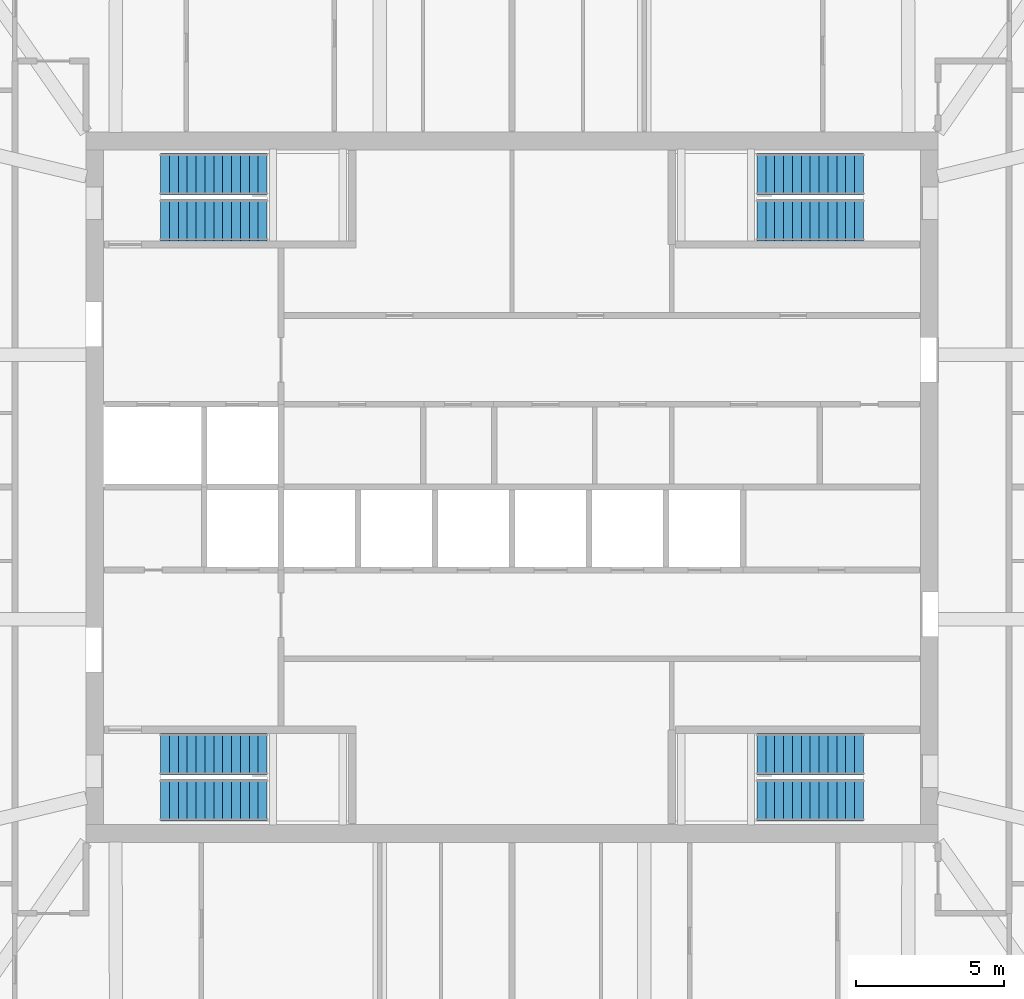
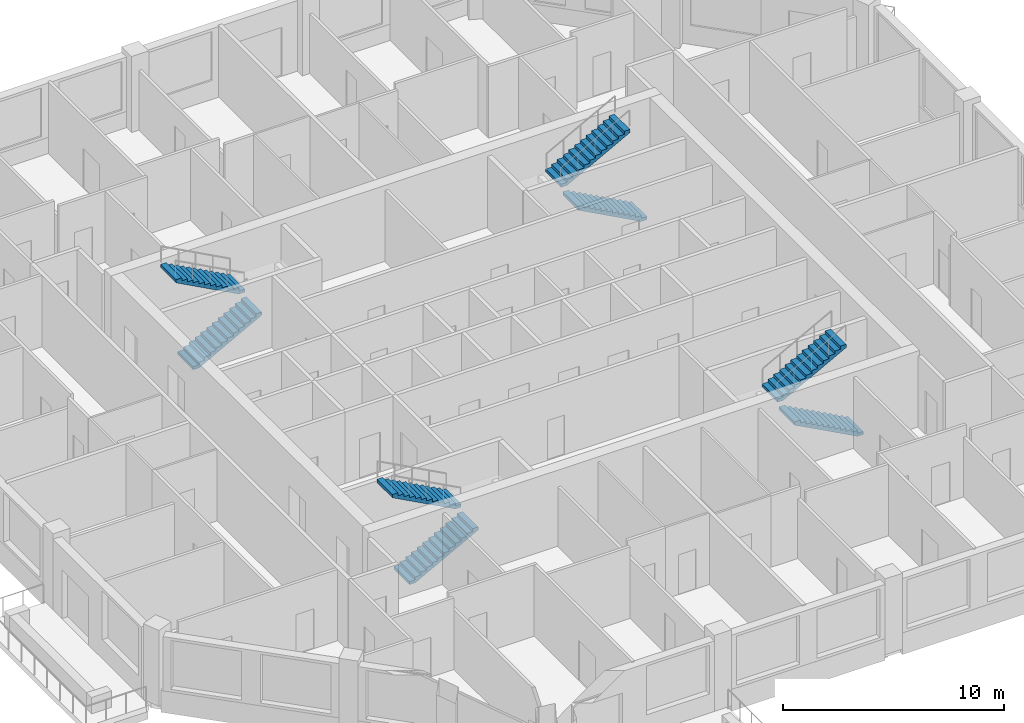
# One storey, part 10 of 11: 8 stair flights, 4 elements without a shape of their own.
"""IFC4 building model written with IfcOpenShell, lengths in metres."""

from ifc_helpers import new_model, si_unit, direction, frame, origin, place, context, subcontext, project, spatial, polyline, outline, extrude, material, type_object, element, aggregate, save


model = new_model("IFC4")

# Units and contexts
model_context = context("Model", 3, precision=1e-05, world=origin(), true_north=direction((0.0, 1.0)))
body_context = subcontext(model_context, "Body", "Model", "MODEL_VIEW")
ifc_project = project(units=[si_unit("LENGTHUNIT", "METRE"), si_unit("AREAUNIT", "SQUARE_METRE"), si_unit("VOLUMEUNIT", "CUBIC_METRE"), si_unit("PLANEANGLEUNIT", "RADIAN"), si_unit("MASSUNIT", "GRAM", prefix="KILO")], contexts=[model_context])

# Site, building, storey
site_placement = place(None, origin())
site = spatial("IfcSite", under=ifc_project, at=site_placement, CompositionType="ELEMENT")
building_placement = place(site_placement, origin())
building = spatial("IfcBuilding", under=site, at=building_placement, Name="Msitu Wima Residences", CompositionType="ELEMENT")
storey_placement = place(building_placement, frame((0.0, 0.0, 234.89990234375)))
storey = spatial("IfcBuildingStorey", under=building, at=storey_placement, Name="L54", CompositionType="ELEMENT", Elevation=234.89990234375)

# Stair, stair flights
ifc_material = material(Name="Concrete C40/50", Category="concrete")
stair_type = type_object("IfcStairType", Name="Exit stair ES1615-140", PredefinedType="HALF_TURN_STAIR", material=ifc_material)
stair_1_placement = place(storey_placement, origin())
stair_1 = element("IfcStair", 1, at=stair_1_placement, inside=storey, type_object=stair_type, Name="Exit stair 1", PredefinedType="HALF_TURN_STAIR")
stair_flight_type = type_object("IfcStairFlightType", Name="Exit stair flight ES1615-140", PredefinedType="STRAIGHT", material=ifc_material)
stair_flight_1_placement = place(storey_placement, frame((-11.875, 9.02490234375, 0.0), z_axis=(0.0, 0.0, 1.0), x_axis=(1.0, 0.0, 0.0)))
stair_flight_1 = element("IfcStairFlight", 2, at=stair_flight_1_placement, type_object=stair_flight_type, Name="S1 flight 1", NumberOfRisers=13, NumberOfTreads=12, PredefinedType="STRAIGHT", RiserHeight=0.161538462, TreadLength=0.3, context=body_context, shape_type="SweptSolid", body=[
    extrude(outline(polyline([(0.0, 0.0), (0.0, 0.16162109375), (0.300048828125, 0.16162109375), (0.300048828125, 0.322998046875), (0.60009765625, 0.322998046875), (0.60009765625, 0.484619140625), (0.89990234375, 0.484619140625), (0.89990234375, 0.646240234375), (1.199951171875, 0.646240234375), (1.199951171875, 0.8076171875), (1.5, 0.8076171875), (1.5, 0.96923828125), (1.800048828125, 0.96923828125), (1.800048828125, 1.130859375), (2.10009765625, 1.130859375), (2.10009765625, 1.292236328125), (2.39990234375, 1.292236328125), (2.39990234375, 1.453857421875), (2.699951171875, 1.453857421875), (2.699951171875, 1.615478515625), (3.0, 1.615478515625), (3.0, 1.77685546875), (3.300048828125, 1.77685546875), (3.300048828125, 1.9384765625), (3.60009765625, 1.9384765625), (3.60009765625, 2.10009765625), (3.60009765625, 1.768310546875), (0.316162109375, 0.0), (0.0, 0.0)])), frame((0.0, 0.699951171875, 0.0), z_axis=(0.0, -1.0, 0.0), x_axis=(1.0, 0.0, 0.0)), (0.0, 0.0, 1.0), 1.39990234375),
])
stair_flight_2_placement = place(storey_placement, frame((-8.27490234375, 10.574951171875, 2.10009765625), z_axis=(0.0, 0.0, 1.0), x_axis=(-1.0, 0.0, 0.0)))
stair_flight_2 = element("IfcStairFlight", 3, at=stair_flight_2_placement, type_object=stair_flight_type, Name="S1 flight 2", NumberOfRisers=13, NumberOfTreads=12, PredefinedType="STRAIGHT", RiserHeight=0.161538462, TreadLength=0.3, context=body_context, shape_type="SweptSolid", body=[
    extrude(outline(polyline([(0.0, 0.0), (0.0, 0.16162109375), (0.300048828125, 0.16162109375), (0.300048828125, 0.322998046875), (0.60009765625, 0.322998046875), (0.60009765625, 0.484619140625), (0.89990234375, 0.484619140625), (0.89990234375, 0.646240234375), (1.199951171875, 0.646240234375), (1.199951171875, 0.8076171875), (1.5, 0.8076171875), (1.5, 0.96923828125), (1.800048828125, 0.96923828125), (1.800048828125, 1.130859375), (2.10009765625, 1.130859375), (2.10009765625, 1.292236328125), (2.39990234375, 1.292236328125), (2.39990234375, 1.453857421875), (2.699951171875, 1.453857421875), (2.699951171875, 1.615478515625), (3.0, 1.615478515625), (3.0, 1.77685546875), (3.300048828125, 1.77685546875), (3.300048828125, 1.9384765625), (3.60009765625, 1.9384765625), (3.60009765625, 2.10009765625), (3.60009765625, 1.768310546875), (0.316162109375, 0.0), (0.0, 0.0)])), frame((0.0, 0.699951171875, 0.0), z_axis=(0.0, -1.0, 0.0), x_axis=(1.0, 0.0, 0.0)), (0.0, 0.0, 1.0), 1.39990234375),
])
aggregate(stair_1, [stair_flight_1, stair_flight_2])

stair_2_placement = place(storey_placement, origin())
stair_2 = element("IfcStair", 4, at=stair_2_placement, inside=storey, type_object=stair_type, Name="Exit stair 2", PredefinedType="HALF_TURN_STAIR")
stair_flight_3_placement = place(storey_placement, frame((-11.875, -10.574951171875, 0.0), z_axis=(0.0, 0.0, 1.0), x_axis=(1.0, 0.0, 0.0)))
stair_flight_3 = element("IfcStairFlight", 5, at=stair_flight_3_placement, type_object=stair_flight_type, Name="S2 flight 1", NumberOfRisers=13, NumberOfTreads=12, PredefinedType="STRAIGHT", RiserHeight=0.161538462, TreadLength=0.3, context=body_context, shape_type="SweptSolid", body=[
    extrude(outline(polyline([(0.0, 0.0), (0.0, 0.16162109375), (0.300048828125, 0.16162109375), (0.300048828125, 0.322998046875), (0.60009765625, 0.322998046875), (0.60009765625, 0.484619140625), (0.89990234375, 0.484619140625), (0.89990234375, 0.646240234375), (1.199951171875, 0.646240234375), (1.199951171875, 0.8076171875), (1.5, 0.8076171875), (1.5, 0.96923828125), (1.800048828125, 0.96923828125), (1.800048828125, 1.130859375), (2.10009765625, 1.130859375), (2.10009765625, 1.292236328125), (2.39990234375, 1.292236328125), (2.39990234375, 1.453857421875), (2.699951171875, 1.453857421875), (2.699951171875, 1.615478515625), (3.0, 1.615478515625), (3.0, 1.77685546875), (3.300048828125, 1.77685546875), (3.300048828125, 1.9384765625), (3.60009765625, 1.9384765625), (3.60009765625, 2.10009765625), (3.60009765625, 1.768310546875), (0.316162109375, 0.0), (0.0, 0.0)])), frame((0.0, 0.699951171875, 0.0), z_axis=(0.0, -1.0, 0.0), x_axis=(1.0, 0.0, 0.0)), (0.0, 0.0, 1.0), 1.39990234375),
])
stair_flight_4_placement = place(storey_placement, frame((-8.27490234375, -9.02490234375, 2.10009765625), z_axis=(0.0, 0.0, 1.0), x_axis=(-1.0, 0.0, 0.0)))
stair_flight_4 = element("IfcStairFlight", 6, at=stair_flight_4_placement, type_object=stair_flight_type, Name="S2 flight 2", NumberOfRisers=13, NumberOfTreads=12, PredefinedType="STRAIGHT", RiserHeight=0.161538462, TreadLength=0.3, context=body_context, shape_type="SweptSolid", body=[
    extrude(outline(polyline([(0.0, 0.0), (0.0, 0.16162109375), (0.300048828125, 0.16162109375), (0.300048828125, 0.322998046875), (0.60009765625, 0.322998046875), (0.60009765625, 0.484619140625), (0.89990234375, 0.484619140625), (0.89990234375, 0.646240234375), (1.199951171875, 0.646240234375), (1.199951171875, 0.8076171875), (1.5, 0.8076171875), (1.5, 0.96923828125), (1.800048828125, 0.96923828125), (1.800048828125, 1.130859375), (2.10009765625, 1.130859375), (2.10009765625, 1.292236328125), (2.39990234375, 1.292236328125), (2.39990234375, 1.453857421875), (2.699951171875, 1.453857421875), (2.699951171875, 1.615478515625), (3.0, 1.615478515625), (3.0, 1.77685546875), (3.300048828125, 1.77685546875), (3.300048828125, 1.9384765625), (3.60009765625, 1.9384765625), (3.60009765625, 2.10009765625), (3.60009765625, 1.768310546875), (0.316162109375, 0.0), (0.0, 0.0)])), frame((0.0, 0.699951171875, 0.0), z_axis=(0.0, -1.0, 0.0), x_axis=(1.0, 0.0, 0.0)), (0.0, 0.0, 1.0), 1.39990234375),
])
aggregate(stair_2, [stair_flight_3, stair_flight_4])

stair_3_placement = place(storey_placement, origin())
stair_3 = element("IfcStair", 7, at=stair_3_placement, inside=storey, type_object=stair_type, Name="Exit stair 3", PredefinedType="HALF_TURN_STAIR")
stair_flight_5_placement = place(storey_placement, frame((11.875, 9.02490234375, 0.0), z_axis=(0.0, 0.0, 1.0), x_axis=(-1.0, 0.0, 0.0)))
stair_flight_5 = element("IfcStairFlight", 8, at=stair_flight_5_placement, type_object=stair_flight_type, Name="S3 flight 1", NumberOfRisers=13, NumberOfTreads=12, PredefinedType="STRAIGHT", RiserHeight=0.161538462, TreadLength=0.3, context=body_context, shape_type="SweptSolid", body=[
    extrude(outline(polyline([(0.0, 0.0), (0.0, 0.16162109375), (0.300048828125, 0.16162109375), (0.300048828125, 0.322998046875), (0.60009765625, 0.322998046875), (0.60009765625, 0.484619140625), (0.89990234375, 0.484619140625), (0.89990234375, 0.646240234375), (1.199951171875, 0.646240234375), (1.199951171875, 0.8076171875), (1.5, 0.8076171875), (1.5, 0.96923828125), (1.800048828125, 0.96923828125), (1.800048828125, 1.130859375), (2.10009765625, 1.130859375), (2.10009765625, 1.292236328125), (2.39990234375, 1.292236328125), (2.39990234375, 1.453857421875), (2.699951171875, 1.453857421875), (2.699951171875, 1.615478515625), (3.0, 1.615478515625), (3.0, 1.77685546875), (3.300048828125, 1.77685546875), (3.300048828125, 1.9384765625), (3.60009765625, 1.9384765625), (3.60009765625, 2.10009765625), (3.60009765625, 1.768310546875), (0.316162109375, 0.0), (0.0, 0.0)])), frame((0.0, 0.699951171875, 0.0), z_axis=(0.0, -1.0, 0.0), x_axis=(1.0, 0.0, 0.0)), (0.0, 0.0, 1.0), 1.39990234375),
])
stair_flight_6_placement = place(storey_placement, frame((8.27490234375, 10.574951171875, 2.10009765625), z_axis=(0.0, 0.0, 1.0), x_axis=(1.0, 0.0, 0.0)))
stair_flight_6 = element("IfcStairFlight", 9, at=stair_flight_6_placement, type_object=stair_flight_type, Name="S3 flight 2", NumberOfRisers=13, NumberOfTreads=12, PredefinedType="STRAIGHT", RiserHeight=0.161538462, TreadLength=0.3, context=body_context, shape_type="SweptSolid", body=[
    extrude(outline(polyline([(0.0, 0.0), (0.0, 0.16162109375), (0.300048828125, 0.16162109375), (0.300048828125, 0.322998046875), (0.60009765625, 0.322998046875), (0.60009765625, 0.484619140625), (0.89990234375, 0.484619140625), (0.89990234375, 0.646240234375), (1.199951171875, 0.646240234375), (1.199951171875, 0.8076171875), (1.5, 0.8076171875), (1.5, 0.96923828125), (1.800048828125, 0.96923828125), (1.800048828125, 1.130859375), (2.10009765625, 1.130859375), (2.10009765625, 1.292236328125), (2.39990234375, 1.292236328125), (2.39990234375, 1.453857421875), (2.699951171875, 1.453857421875), (2.699951171875, 1.615478515625), (3.0, 1.615478515625), (3.0, 1.77685546875), (3.300048828125, 1.77685546875), (3.300048828125, 1.9384765625), (3.60009765625, 1.9384765625), (3.60009765625, 2.10009765625), (3.60009765625, 1.768310546875), (0.316162109375, 0.0), (0.0, 0.0)])), frame((0.0, 0.699951171875, 0.0), z_axis=(0.0, -1.0, 0.0), x_axis=(1.0, 0.0, 0.0)), (0.0, 0.0, 1.0), 1.39990234375),
])
aggregate(stair_3, [stair_flight_5, stair_flight_6])

stair_4_placement = place(storey_placement, origin())
stair_4 = element("IfcStair", 10, at=stair_4_placement, inside=storey, type_object=stair_type, Name="Exit stair 4", PredefinedType="HALF_TURN_STAIR")
stair_flight_7_placement = place(storey_placement, frame((11.875, -10.574951171875, 0.0), z_axis=(0.0, 0.0, 1.0), x_axis=(-1.0, 0.0, 0.0)))
stair_flight_7 = element("IfcStairFlight", 11, at=stair_flight_7_placement, type_object=stair_flight_type, Name="S4 flight 1", NumberOfRisers=13, NumberOfTreads=12, PredefinedType="STRAIGHT", RiserHeight=0.161538462, TreadLength=0.3, context=body_context, shape_type="SweptSolid", body=[
    extrude(outline(polyline([(0.0, 0.0), (0.0, 0.16162109375), (0.300048828125, 0.16162109375), (0.300048828125, 0.322998046875), (0.60009765625, 0.322998046875), (0.60009765625, 0.484619140625), (0.89990234375, 0.484619140625), (0.89990234375, 0.646240234375), (1.199951171875, 0.646240234375), (1.199951171875, 0.8076171875), (1.5, 0.8076171875), (1.5, 0.96923828125), (1.800048828125, 0.96923828125), (1.800048828125, 1.130859375), (2.10009765625, 1.130859375), (2.10009765625, 1.292236328125), (2.39990234375, 1.292236328125), (2.39990234375, 1.453857421875), (2.699951171875, 1.453857421875), (2.699951171875, 1.615478515625), (3.0, 1.615478515625), (3.0, 1.77685546875), (3.300048828125, 1.77685546875), (3.300048828125, 1.9384765625), (3.60009765625, 1.9384765625), (3.60009765625, 2.10009765625), (3.60009765625, 1.768310546875), (0.316162109375, 0.0), (0.0, 0.0)])), frame((0.0, 0.699951171875, 0.0), z_axis=(0.0, -1.0, 0.0), x_axis=(1.0, 0.0, 0.0)), (0.0, 0.0, 1.0), 1.39990234375),
])
stair_flight_8_placement = place(storey_placement, frame((8.27490234375, -9.02490234375, 2.10009765625), z_axis=(0.0, 0.0, 1.0), x_axis=(1.0, 0.0, 0.0)))
stair_flight_8 = element("IfcStairFlight", 12, at=stair_flight_8_placement, type_object=stair_flight_type, Name="S4 flight 2", NumberOfRisers=13, NumberOfTreads=12, PredefinedType="STRAIGHT", RiserHeight=0.161538462, TreadLength=0.3, context=body_context, shape_type="SweptSolid", body=[
    extrude(outline(polyline([(0.0, 0.0), (0.0, 0.16162109375), (0.300048828125, 0.16162109375), (0.300048828125, 0.322998046875), (0.60009765625, 0.322998046875), (0.60009765625, 0.484619140625), (0.89990234375, 0.484619140625), (0.89990234375, 0.646240234375), (1.199951171875, 0.646240234375), (1.199951171875, 0.8076171875), (1.5, 0.8076171875), (1.5, 0.96923828125), (1.800048828125, 0.96923828125), (1.800048828125, 1.130859375), (2.10009765625, 1.130859375), (2.10009765625, 1.292236328125), (2.39990234375, 1.292236328125), (2.39990234375, 1.453857421875), (2.699951171875, 1.453857421875), (2.699951171875, 1.615478515625), (3.0, 1.615478515625), (3.0, 1.77685546875), (3.300048828125, 1.77685546875), (3.300048828125, 1.9384765625), (3.60009765625, 1.9384765625), (3.60009765625, 2.10009765625), (3.60009765625, 1.768310546875), (0.316162109375, 0.0), (0.0, 0.0)])), frame((0.0, 0.699951171875, 0.0), z_axis=(0.0, -1.0, 0.0), x_axis=(1.0, 0.0, 0.0)), (0.0, 0.0, 1.0), 1.39990234375),
])
aggregate(stair_4, [stair_flight_7, stair_flight_8])

save(model, "model.ifc")
